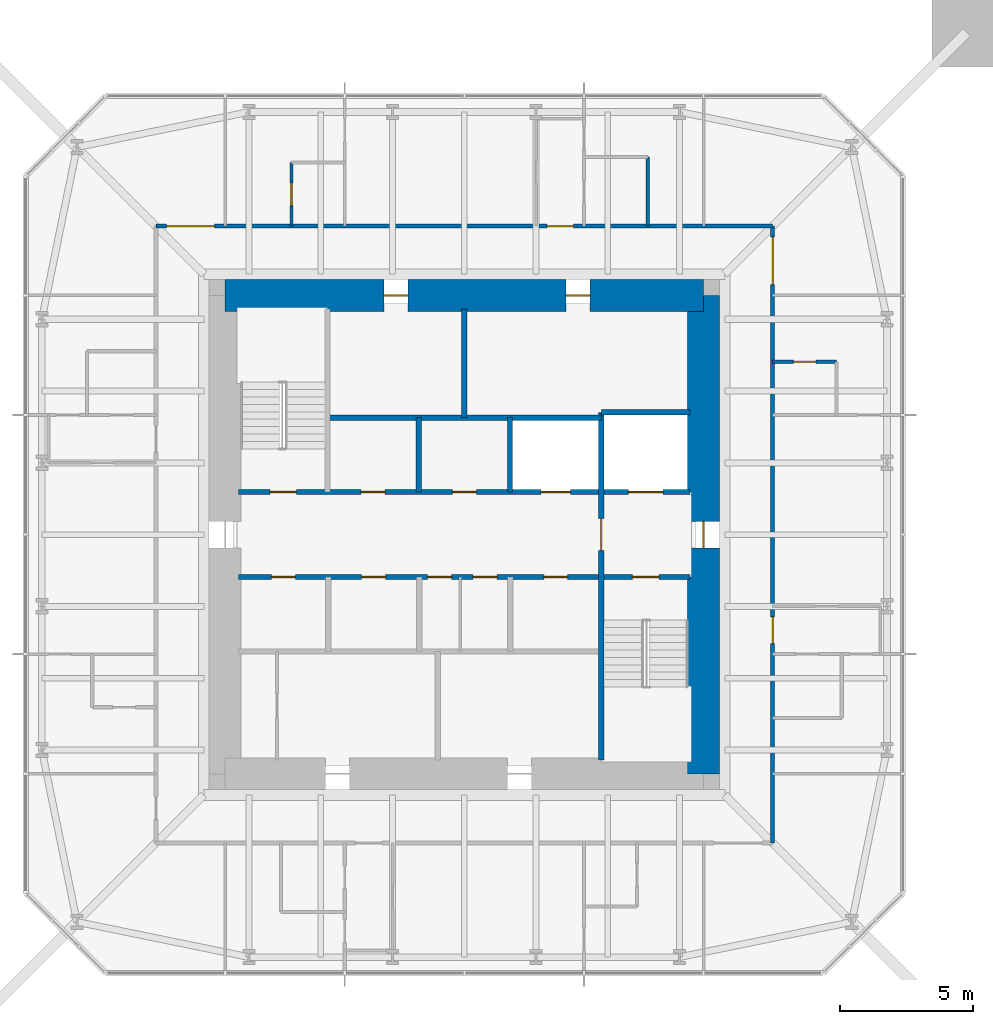
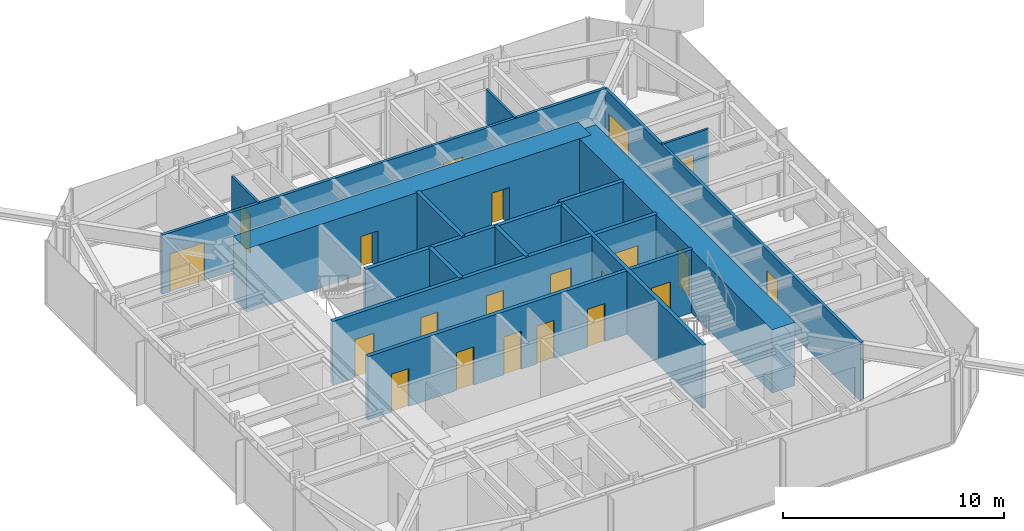
# One storey, part 7 of 9: 21 doors, 15 walls, 21 openings.
"""IFC4 building model written with IfcOpenShell, lengths in metres."""

from ifc_helpers import new_model, si_unit, direction, frame, frame_2d, origin, place, context, subcontext, project, spatial, rectangle, extrude, material, layer, layer_set, type_object, element, fill, save


model = new_model("IFC4")

# Units and contexts
model_context = context("Model", 3, precision=1e-05, world=origin(), true_north=direction((0.0, 1.0)))
body_context = subcontext(model_context, "Body", "Model", "MODEL_VIEW")
ifc_project = project(units=[si_unit("LENGTHUNIT", "METRE"), si_unit("AREAUNIT", "SQUARE_METRE"), si_unit("VOLUMEUNIT", "CUBIC_METRE"), si_unit("PLANEANGLEUNIT", "RADIAN"), si_unit("MASSUNIT", "GRAM", prefix="KILO")], contexts=[model_context])

# Site, building, storey
site_placement = place(None, origin())
site = spatial("IfcSite", under=ifc_project, at=site_placement, CompositionType="ELEMENT")
building_placement = place(site_placement, origin())
building = spatial("IfcBuilding", under=site, at=building_placement, Name="Iwan Alto Co-Living Towers", CompositionType="ELEMENT")
storey_placement = place(building_placement, frame((0.0, 0.0, 239.5)))
storey = spatial("IfcBuildingStorey", under=building, at=storey_placement, Name="L65", CompositionType="ELEMENT", Elevation=239.5)

# Wall, openings, doors
ifc_material_1 = material(Name="Gypsum board")
ifc_layer_1 = layer(ifc_material_1, 0.02490234375, Name="Board", Category="Finish")
ifc_material_2 = material(Name="Steel ASTM A1003 ST33H cold-formed studs", Category="steel")
ifc_layer_2 = layer(ifc_material_2, 0.10009765625, Name="Studs", Category="Framing")
ifc_layer_3 = layer(ifc_material_1, 0.02490234375, Name="Board", Category="Finish")
ifc_layer_set_1 = layer_set([ifc_layer_1, ifc_layer_2, ifc_layer_3], Name="CORRIDOR WALL 150")
wall_type_1 = type_object("IfcWallType", Name="CORRIDOR WALL 150", PredefinedType="PARTITIONING", material=ifc_layer_set_1)
wall_1_placement = place(storey_placement, frame((-11.60009765625, 11.60009765625, 0.0), z_axis=(0.0, 0.0, 1.0), x_axis=(1.0, 0.0, 0.0)))
wall_1 = element("IfcWall", 1, at=wall_1_placement, inside=storey, type_object=wall_type_1, Name="Partition L65", PredefinedType="PARTITIONING", context=body_context, shape_type="SweptSolid", body=[
    extrude(rectangle(XDim=23.2001953125, YDim=0.14990234375, at=frame_2d((11.60009765625, 0.0))), origin(), (0.0, 0.0, 1.0), 3.27001953125),
])
opening_1_placement = place(wall_1_placement, frame((14.699951171875, 0.0, 0.0)))
opening_1 = element("IfcOpeningElement", 2, at=opening_1_placement, cuts=wall_1, Name="Opening D3", PredefinedType="OPENING", context=body_context, shape_type="SweptSolid", body=[
    extrude(rectangle(XDim=1.0, YDim=2.10009765625, at=frame_2d((0.5, 1.050048828125))), frame((0.0, 0.0849609375, 0.0), z_axis=(0.0, -1.0, 0.0), x_axis=(1.0, 0.0, 0.0)), (0.0, 0.0, 1.0), 0.169921875),
])
opening_2_placement = place(wall_1_placement, frame((0.39990234375, 0.0, 0.0)))
opening_2 = element("IfcOpeningElement", 3, at=opening_2_placement, cuts=wall_1, Name="Opening D9", PredefinedType="OPENING", context=body_context, shape_type="SweptSolid", body=[
    extrude(rectangle(XDim=1.800048828125, YDim=2.10009765625, at=frame_2d((0.89990234375, 1.050048828125))), frame((0.0, 0.0849609375, 0.0), z_axis=(0.0, -1.0, 0.0), x_axis=(1.0, 0.0, 0.0)), (0.0, 0.0, 1.0), 0.169921875),
])
ifc_material_3 = material(Name="Steel frame with timber leaf", Category="steel")
door_type_1 = type_object("IfcDoorType", Name="FLAT ENTRANCE DOOR FD30S 1000X2100", OperationType="SINGLE_SWING_LEFT", PredefinedType="DOOR", material=ifc_material_3)
door_1_placement = place(opening_1_placement, origin())
door_1 = element("IfcDoor", 4, at=door_1_placement, inside=storey, type_object=door_type_1, Name="Apartment foyer door L65", OperationType="SINGLE_SWING_LEFT", OverallHeight=2.10009765625, OverallWidth=1.0, PredefinedType="DOOR", context=body_context, shape_type="SweptSolid", body=[
    extrude(rectangle(XDim=1.0, YDim=2.10009765625, at=frame_2d((0.5, 1.050048828125))), frame((0.0, 0.02490234375, 0.0), z_axis=(0.0, -1.0, 0.0), x_axis=(1.0, 0.0, 0.0)), (0.0, 0.0, 1.0), 0.050048828125),
])
fill(opening_1, door_1)
ifc_material_4 = material(Name="Steel frame with timber leaf", Category="steel")
door_type_2 = type_object("IfcDoorType", Name="LOUNGE DOOR FD30S 1800X2100", OperationType="DOUBLE_DOOR_SINGLE_SWING", PredefinedType="DOOR", material=ifc_material_4)
door_2_placement = place(opening_2_placement, origin())
door_2 = element("IfcDoor", 5, at=door_2_placement, inside=storey, type_object=door_type_2, Name="Courtyard lounge door L65", OperationType="DOUBLE_DOOR_SINGLE_SWING", OverallHeight=2.10009765625, OverallWidth=1.800048828125, PredefinedType="DOOR", context=body_context, shape_type="SweptSolid", body=[
    extrude(rectangle(XDim=1.800048828125, YDim=2.10009765625, at=frame_2d((0.89990234375, 1.050048828125))), frame((0.0, 0.02490234375, 0.0), z_axis=(0.0, -1.0, 0.0), x_axis=(1.0, 0.0, 0.0)), (0.0, 0.0, 1.0), 0.050048828125),
])
fill(opening_2, door_2)

wall_2_placement = place(storey_placement, frame((11.60009765625, -11.60009765625, 0.0), z_axis=(0.0, 0.0, 1.0), x_axis=(0.0, 1.0, 0.0)))
wall_2 = element("IfcWall", 6, at=wall_2_placement, inside=storey, type_object=wall_type_1, Name="Partition L65", PredefinedType="PARTITIONING", context=body_context, shape_type="SweptSolid", body=[
    extrude(rectangle(XDim=23.2001953125, YDim=0.14990234375, at=frame_2d((11.60009765625, 0.0))), origin(), (0.0, 0.0, 1.0), 3.27001953125),
])
opening_3_placement = place(wall_2_placement, frame((7.5, 0.0, 0.0)))
opening_3 = element("IfcOpeningElement", 7, at=opening_3_placement, cuts=wall_2, Name="Opening D3", PredefinedType="OPENING", context=body_context, shape_type="SweptSolid", body=[
    extrude(rectangle(XDim=1.0, YDim=2.10009765625, at=frame_2d((0.5, 1.050048828125))), frame((0.0, 0.0849609375, 0.0), z_axis=(0.0, -1.0, 0.0), x_axis=(1.0, 0.0, 0.0)), (0.0, 0.0, 1.0), 0.169921875),
])
opening_4_placement = place(wall_2_placement, frame((21.0, 0.0, 0.0)))
opening_4 = element("IfcOpeningElement", 8, at=opening_4_placement, cuts=wall_2, Name="Opening D9", PredefinedType="OPENING", context=body_context, shape_type="SweptSolid", body=[
    extrude(rectangle(XDim=1.800048828125, YDim=2.10009765625, at=frame_2d((0.89990234375, 1.050048828125))), frame((0.0, 0.0849609375, 0.0), z_axis=(0.0, -1.0, 0.0), x_axis=(1.0, 0.0, 0.0)), (0.0, 0.0, 1.0), 0.169921875),
])
door_3_placement = place(opening_3_placement, frame((1.0, 0.0, 0.0), z_axis=(0.0, 0.0, 1.0), x_axis=(-1.0, 0.0, 0.0)))
door_3 = element("IfcDoor", 9, at=door_3_placement, inside=storey, type_object=door_type_1, Name="Apartment foyer door L65", OperationType="SINGLE_SWING_RIGHT", OverallHeight=2.10009765625, OverallWidth=1.0, PredefinedType="DOOR", context=body_context, shape_type="SweptSolid", body=[
    extrude(rectangle(XDim=1.0, YDim=2.10009765625, at=frame_2d((0.5, 1.050048828125))), frame((0.0, 0.02490234375, 0.0), z_axis=(0.0, -1.0, 0.0), x_axis=(1.0, 0.0, 0.0)), (0.0, 0.0, 1.0), 0.050048828125),
])
fill(opening_3, door_3)
door_4_placement = place(opening_4_placement, frame((1.800048828125, 0.0, 0.0), z_axis=(0.0, 0.0, 1.0), x_axis=(-1.0, 0.0, 0.0)))
door_4 = element("IfcDoor", 10, at=door_4_placement, inside=storey, type_object=door_type_2, Name="Study lounge door L65", OperationType="DOUBLE_DOOR_SINGLE_SWING", OverallHeight=2.10009765625, OverallWidth=1.800048828125, PredefinedType="DOOR", context=body_context, shape_type="SweptSolid", body=[
    extrude(rectangle(XDim=1.800048828125, YDim=2.10009765625, at=frame_2d((0.89990234375, 1.050048828125))), frame((0.0, 0.02490234375, 0.0), z_axis=(0.0, -1.0, 0.0), x_axis=(1.0, 0.0, 0.0)), (0.0, 0.0, 1.0), 0.050048828125),
])
fill(opening_4, door_4)

ifc_material_5 = material(Name="Concrete f'c 70 MPa", Category="concrete")
ifc_layer_4 = layer(ifc_material_5, 0.199951171875)
ifc_layer_set_2 = layer_set([ifc_layer_4], Name="SHAFT WALL 200")
wall_type_2 = type_object("IfcWallType", Name="SHAFT WALL 200", PredefinedType="SOLIDWALL", material=ifc_layer_set_2)
wall_3_placement = place(storey_placement, frame((-8.489990234375, -1.60009765625, 0.0), z_axis=(0.0, 0.0, 1.0), x_axis=(1.0, 0.0, 0.0)))
wall_3 = element("IfcWall", 11, at=wall_3_placement, inside=storey, type_object=wall_type_2, Name="Shaft wall L65", PredefinedType="SOLIDWALL", context=body_context, shape_type="SweptSolid", body=[
    extrude(rectangle(XDim=16.97998046875, YDim=0.199951171875, at=frame_2d((8.489990234375, 0.0))), origin(), (0.0, 0.0, 1.0), 3.5),
])
opening_5_placement = place(wall_3_placement, frame((14.81005859375, 0.0, 0.0)))
opening_5 = element("IfcOpeningElement", 12, at=opening_5_placement, cuts=wall_3, Name="Opening D5", PredefinedType="OPENING", context=body_context, shape_type="SweptSolid", body=[
    extrude(rectangle(XDim=1.0, YDim=2.10009765625, at=frame_2d((0.5, 1.050048828125))), frame((0.0, 0.10986328125, 0.0), z_axis=(0.0, -1.0, 0.0), x_axis=(1.0, 0.0, 0.0)), (0.0, 0.0, 1.0), 0.219970703125),
])
opening_6_placement = place(wall_3_placement, frame((1.23193359375, 0.0, 0.0)))
opening_6 = element("IfcOpeningElement", 13, at=opening_6_placement, cuts=wall_3, Name="Opening D15", PredefinedType="OPENING", context=body_context, shape_type="SweptSolid", body=[
    extrude(rectangle(XDim=0.89990234375, YDim=2.10009765625, at=frame_2d((0.449951171875, 1.050048828125))), frame((0.0, 0.10986328125, 0.0), z_axis=(0.0, -1.0, 0.0), x_axis=(1.0, 0.0, 0.0)), (0.0, 0.0, 1.0), 0.219970703125),
])
opening_7_placement = place(wall_3_placement, frame((4.626953125, 0.0, 0.0)))
opening_7 = element("IfcOpeningElement", 14, at=opening_7_placement, cuts=wall_3, Name="Opening D15", PredefinedType="OPENING", context=body_context, shape_type="SweptSolid", body=[
    extrude(rectangle(XDim=0.89990234375, YDim=2.10009765625, at=frame_2d((0.449951171875, 1.050048828125))), frame((0.0, 0.10986328125, 0.0), z_axis=(0.0, -1.0, 0.0), x_axis=(1.0, 0.0, 0.0)), (0.0, 0.0, 1.0), 0.219970703125),
])
opening_8_placement = place(wall_3_placement, frame((8.822998046875, 0.0, 0.0)))
opening_8 = element("IfcOpeningElement", 15, at=opening_8_placement, cuts=wall_3, Name="Opening D15", PredefinedType="OPENING", context=body_context, shape_type="SweptSolid", body=[
    extrude(rectangle(XDim=0.89990234375, YDim=2.10009765625, at=frame_2d((0.449951171875, 1.050048828125))), frame((0.0, 0.10986328125, 0.0), z_axis=(0.0, -1.0, 0.0), x_axis=(1.0, 0.0, 0.0)), (0.0, 0.0, 1.0), 0.219970703125),
])
opening_9_placement = place(wall_3_placement, frame((7.110107421875, 0.0, 0.0)))
opening_9 = element("IfcOpeningElement", 16, at=opening_9_placement, cuts=wall_3, Name="Opening D15", PredefinedType="OPENING", context=body_context, shape_type="SweptSolid", body=[
    extrude(rectangle(XDim=0.89990234375, YDim=2.10009765625, at=frame_2d((0.449951171875, 1.050048828125))), frame((0.0, 0.10986328125, 0.0), z_axis=(0.0, -1.0, 0.0), x_axis=(1.0, 0.0, 0.0)), (0.0, 0.0, 1.0), 0.219970703125),
])
opening_10_placement = place(wall_3_placement, frame((11.47802734375, 0.0, 0.0)))
opening_10 = element("IfcOpeningElement", 17, at=opening_10_placement, cuts=wall_3, Name="Opening D15", PredefinedType="OPENING", context=body_context, shape_type="SweptSolid", body=[
    extrude(rectangle(XDim=0.89990234375, YDim=2.10009765625, at=frame_2d((0.449951171875, 1.050048828125))), frame((0.0, 0.10986328125, 0.0), z_axis=(0.0, -1.0, 0.0), x_axis=(1.0, 0.0, 0.0)), (0.0, 0.0, 1.0), 0.219970703125),
])
ifc_material_6 = material(Name="Steel frame with timber leaf", Category="steel")
door_type_3 = type_object("IfcDoorType", Name="CORE ROOM DOOR FD60S 900X2100", OperationType="SINGLE_SWING_LEFT", PredefinedType="DOOR", material=ifc_material_6)
door_5_placement = place(opening_6_placement, frame((0.89990234375, 0.0, 0.0), z_axis=(0.0, 0.0, 1.0), x_axis=(-1.0, 0.0, 0.0)))
door_5 = element("IfcDoor", 18, at=door_5_placement, inside=storey, type_object=door_type_3, Name="Linen store door L65", OperationType="SINGLE_SWING_LEFT", OverallHeight=2.10009765625, OverallWidth=0.89990234375, PredefinedType="DOOR", context=body_context, shape_type="SweptSolid", body=[
    extrude(rectangle(XDim=0.89990234375, YDim=2.10009765625, at=frame_2d((0.449951171875, 1.050048828125))), frame((0.0, 0.02490234375, 0.0), z_axis=(0.0, -1.0, 0.0), x_axis=(1.0, 0.0, 0.0)), (0.0, 0.0, 1.0), 0.050048828125),
])
fill(opening_6, door_5)
door_6_placement = place(opening_7_placement, frame((0.89990234375, 0.0, 0.0), z_axis=(0.0, 0.0, 1.0), x_axis=(-1.0, 0.0, 0.0)))
door_6 = element("IfcDoor", 19, at=door_6_placement, inside=storey, type_object=door_type_3, Name="Bulk store door L65", OperationType="SINGLE_SWING_RIGHT", OverallHeight=2.10009765625, OverallWidth=0.89990234375, PredefinedType="DOOR", context=body_context, shape_type="SweptSolid", body=[
    extrude(rectangle(XDim=0.89990234375, YDim=2.10009765625, at=frame_2d((0.449951171875, 1.050048828125))), frame((0.0, 0.02490234375, 0.0), z_axis=(0.0, -1.0, 0.0), x_axis=(1.0, 0.0, 0.0)), (0.0, 0.0, 1.0), 0.050048828125),
])
fill(opening_7, door_6)
door_7_placement = place(opening_8_placement, frame((0.89990234375, 0.0, 0.0), z_axis=(0.0, 0.0, 1.0), x_axis=(-1.0, 0.0, 0.0)))
door_7 = element("IfcDoor", 20, at=door_7_placement, inside=storey, type_object=door_type_3, Name="IT room door L65", OperationType="SINGLE_SWING_RIGHT", OverallHeight=2.10009765625, OverallWidth=0.89990234375, PredefinedType="DOOR", context=body_context, shape_type="SweptSolid", body=[
    extrude(rectangle(XDim=0.89990234375, YDim=2.10009765625, at=frame_2d((0.449951171875, 1.050048828125))), frame((0.0, 0.02490234375, 0.0), z_axis=(0.0, -1.0, 0.0), x_axis=(1.0, 0.0, 0.0)), (0.0, 0.0, 1.0), 0.050048828125),
])
fill(opening_8, door_7)
door_8_placement = place(opening_9_placement, frame((0.89990234375, 0.0, 0.0), z_axis=(0.0, 0.0, 1.0), x_axis=(-1.0, 0.0, 0.0)))
door_8 = element("IfcDoor", 21, at=door_8_placement, inside=storey, type_object=door_type_3, Name="Bulk store door L65", OperationType="SINGLE_SWING_RIGHT", OverallHeight=2.10009765625, OverallWidth=0.89990234375, PredefinedType="DOOR", context=body_context, shape_type="SweptSolid", body=[
    extrude(rectangle(XDim=0.89990234375, YDim=2.10009765625, at=frame_2d((0.449951171875, 1.050048828125))), frame((0.0, 0.02490234375, 0.0), z_axis=(0.0, -1.0, 0.0), x_axis=(1.0, 0.0, 0.0)), (0.0, 0.0, 1.0), 0.050048828125),
])
fill(opening_9, door_8)
door_9_placement = place(opening_10_placement, frame((0.89990234375, 0.0, 0.0), z_axis=(0.0, 0.0, 1.0), x_axis=(-1.0, 0.0, 0.0)))
door_9 = element("IfcDoor", 22, at=door_9_placement, inside=storey, type_object=door_type_3, Name="Vending and ice room door L65", OperationType="SINGLE_SWING_RIGHT", OverallHeight=2.10009765625, OverallWidth=0.89990234375, PredefinedType="DOOR", context=body_context, shape_type="SweptSolid", body=[
    extrude(rectangle(XDim=0.89990234375, YDim=2.10009765625, at=frame_2d((0.449951171875, 1.050048828125))), frame((0.0, 0.02490234375, 0.0), z_axis=(0.0, -1.0, 0.0), x_axis=(1.0, 0.0, 0.0)), (0.0, 0.0, 1.0), 0.050048828125),
])
fill(opening_10, door_9)
ifc_material_7 = material(Name="Steel frame with timber leaf", Category="steel")
door_type_4 = type_object("IfcDoorType", Name="STAIR DOOR FD120S 1000X2100", OperationType="SINGLE_SWING_LEFT", PredefinedType="DOOR", material=ifc_material_7)
door_10_placement = place(opening_5_placement, frame((1.0, 0.0, 0.0), z_axis=(0.0, 0.0, 1.0), x_axis=(-1.0, 0.0, 0.0)))
door_10 = element("IfcDoor", 23, at=door_10_placement, inside=storey, type_object=door_type_4, Name="Stair S2 door L65", OperationType="SINGLE_SWING_RIGHT", OverallHeight=2.10009765625, OverallWidth=1.0, PredefinedType="DOOR", context=body_context, shape_type="SweptSolid", body=[
    extrude(rectangle(XDim=1.0, YDim=2.10009765625, at=frame_2d((0.5, 1.050048828125))), frame((0.0, 0.02490234375, 0.0), z_axis=(0.0, -1.0, 0.0), x_axis=(1.0, 0.0, 0.0)), (0.0, 0.0, 1.0), 0.050048828125),
])
fill(opening_5, door_10)

wall_4_placement = place(storey_placement, frame((-8.489990234375, 1.60009765625, 0.0), z_axis=(0.0, 0.0, 1.0), x_axis=(1.0, 0.0, 0.0)))
wall_4 = element("IfcWall", 24, at=wall_4_placement, inside=storey, type_object=wall_type_2, Name="Shaft wall L65", PredefinedType="SOLIDWALL", context=body_context, shape_type="SweptSolid", body=[
    extrude(rectangle(XDim=16.97998046875, YDim=0.199951171875, at=frame_2d((8.489990234375, 0.0))), origin(), (0.0, 0.0, 1.0), 3.5),
])
opening_11_placement = place(wall_4_placement, frame((1.169921875, 0.0, 0.0)))
opening_11 = element("IfcOpeningElement", 25, at=opening_11_placement, cuts=wall_4, Name="Opening D5", PredefinedType="OPENING", context=body_context, shape_type="SweptSolid", body=[
    extrude(rectangle(XDim=1.0, YDim=2.10009765625, at=frame_2d((0.5, 1.050048828125))), frame((0.0, 0.10986328125, 0.0), z_axis=(0.0, -1.0, 0.0), x_axis=(1.0, 0.0, 0.0)), (0.0, 0.0, 1.0), 0.219970703125),
])
opening_12_placement = place(wall_4_placement, frame((4.60595703125, 0.0, 0.0)))
opening_12 = element("IfcOpeningElement", 26, at=opening_12_placement, cuts=wall_4, Name="Opening D15", PredefinedType="OPENING", context=body_context, shape_type="SweptSolid", body=[
    extrude(rectangle(XDim=0.89990234375, YDim=2.10009765625, at=frame_2d((0.449951171875, 1.050048828125))), frame((0.0, 0.10986328125, 0.0), z_axis=(0.0, -1.0, 0.0), x_axis=(1.0, 0.0, 0.0)), (0.0, 0.0, 1.0), 0.219970703125),
])
opening_13_placement = place(wall_4_placement, frame((8.0400390625, 0.0, 0.0)))
opening_13 = element("IfcOpeningElement", 27, at=opening_13_placement, cuts=wall_4, Name="Opening D15", PredefinedType="OPENING", context=body_context, shape_type="SweptSolid", body=[
    extrude(rectangle(XDim=0.89990234375, YDim=2.10009765625, at=frame_2d((0.449951171875, 1.050048828125))), frame((0.0, 0.10986328125, 0.0), z_axis=(0.0, -1.0, 0.0), x_axis=(1.0, 0.0, 0.0)), (0.0, 0.0, 1.0), 0.219970703125),
])
opening_14_placement = place(wall_4_placement, frame((11.3740234375, 0.0, 0.0)))
opening_14 = element("IfcOpeningElement", 28, at=opening_14_placement, cuts=wall_4, Name="Opening LD", PredefinedType="OPENING", context=body_context, shape_type="SweptSolid", body=[
    extrude(rectangle(XDim=1.10009765625, YDim=2.10009765625, at=frame_2d((0.550048828125, 1.050048828125))), frame((0.0, 0.10986328125, 0.0), z_axis=(0.0, -1.0, 0.0), x_axis=(1.0, 0.0, 0.0)), (0.0, 0.0, 1.0), 0.219970703125),
])
opening_15_placement = place(wall_4_placement, frame((14.659912109375, 0.0, 0.0)))
opening_15 = element("IfcOpeningElement", 29, at=opening_15_placement, cuts=wall_4, Name="Opening LD2", PredefinedType="OPENING", context=body_context, shape_type="SweptSolid", body=[
    extrude(rectangle(XDim=1.300048828125, YDim=2.10009765625, at=frame_2d((0.64990234375, 1.050048828125))), frame((0.0, 0.10986328125, 0.0), z_axis=(0.0, -1.0, 0.0), x_axis=(1.0, 0.0, 0.0)), (0.0, 0.0, 1.0), 0.219970703125),
])
door_11_placement = place(opening_12_placement, origin())
door_11 = element("IfcDoor", 30, at=door_11_placement, inside=storey, type_object=door_type_3, Name="Housekeeping store door L65", OperationType="SINGLE_SWING_LEFT", OverallHeight=2.10009765625, OverallWidth=0.89990234375, PredefinedType="DOOR", context=body_context, shape_type="SweptSolid", body=[
    extrude(rectangle(XDim=0.89990234375, YDim=2.10009765625, at=frame_2d((0.449951171875, 1.050048828125))), frame((0.0, 0.02490234375, 0.0), z_axis=(0.0, -1.0, 0.0), x_axis=(1.0, 0.0, 0.0)), (0.0, 0.0, 1.0), 0.050048828125),
])
fill(opening_12, door_11)
door_12_placement = place(opening_13_placement, origin())
door_12 = element("IfcDoor", 31, at=door_12_placement, inside=storey, type_object=door_type_3, Name="Comms room door L65", OperationType="SINGLE_SWING_LEFT", OverallHeight=2.10009765625, OverallWidth=0.89990234375, PredefinedType="DOOR", context=body_context, shape_type="SweptSolid", body=[
    extrude(rectangle(XDim=0.89990234375, YDim=2.10009765625, at=frame_2d((0.449951171875, 1.050048828125))), frame((0.0, 0.02490234375, 0.0), z_axis=(0.0, -1.0, 0.0), x_axis=(1.0, 0.0, 0.0)), (0.0, 0.0, 1.0), 0.050048828125),
])
fill(opening_13, door_12)
ifc_material_8 = material(Name="Steel frame with timber leaf", Category="steel")
door_type_5 = type_object("IfcDoorType", Name="LIFT LANDING DOOR 1100X2100", OperationType="DOUBLE_DOOR_SLIDING", PredefinedType="DOOR", material=ifc_material_8)
door_13_placement = place(opening_14_placement, origin())
door_13 = element("IfcDoor", 32, at=door_13_placement, inside=storey, type_object=door_type_5, Name="Lift P4-3 landing door L65", OperationType="DOUBLE_DOOR_SLIDING", OverallHeight=2.10009765625, OverallWidth=1.10009765625, PredefinedType="DOOR", context=body_context, shape_type="SweptSolid", body=[
    extrude(rectangle(XDim=1.10009765625, YDim=2.10009765625, at=frame_2d((0.550048828125, 1.050048828125))), frame((0.0, 0.02490234375, 0.0), z_axis=(0.0, -1.0, 0.0), x_axis=(1.0, 0.0, 0.0)), (0.0, 0.0, 1.0), 0.050048828125),
])
fill(opening_14, door_13)
ifc_material_9 = material(Name="Steel frame with timber leaf", Category="steel")
door_type_6 = type_object("IfcDoorType", Name="LIFT LANDING DOOR 1300X2100", OperationType="SLIDING_TO_LEFT", PredefinedType="DOOR", material=ifc_material_9)
door_14_placement = place(opening_15_placement, origin())
door_14 = element("IfcDoor", 33, at=door_14_placement, inside=storey, type_object=door_type_6, Name="Lift FL1 landing door L65", OperationType="SLIDING_TO_LEFT", OverallHeight=2.10009765625, OverallWidth=1.300048828125, PredefinedType="DOOR", context=body_context, shape_type="SweptSolid", body=[
    extrude(rectangle(XDim=1.300048828125, YDim=2.10009765625, at=frame_2d((0.64990234375, 1.050048828125))), frame((0.0, 0.02490234375, 0.0), z_axis=(0.0, -1.0, 0.0), x_axis=(1.0, 0.0, 0.0)), (0.0, 0.0, 1.0), 0.050048828125),
])
fill(opening_15, door_14)
door_15_placement = place(opening_11_placement, origin())
door_15 = element("IfcDoor", 34, at=door_15_placement, inside=storey, type_object=door_type_4, Name="Stair S1 door L65", OperationType="SINGLE_SWING_RIGHT", OverallHeight=2.10009765625, OverallWidth=1.0, PredefinedType="DOOR", context=body_context, shape_type="SweptSolid", body=[
    extrude(rectangle(XDim=1.0, YDim=2.10009765625, at=frame_2d((0.5, 1.050048828125))), frame((0.0, 0.02490234375, 0.0), z_axis=(0.0, -1.0, 0.0), x_axis=(1.0, 0.0, 0.0)), (0.0, 0.0, 1.0), 0.050048828125),
])
fill(opening_11, door_15)

# Walls
wall_5_placement = place(storey_placement, frame((-5.14990234375, 4.39990234375, 0.0), z_axis=(0.0, 0.0, 1.0), x_axis=(1.0, 0.0, 0.0)))
element("IfcWall", 35, at=wall_5_placement, inside=storey, type_object=wall_type_2, Name="Shaft wall L65", PredefinedType="SOLIDWALL", context=body_context, shape_type="SweptSolid", body=[
    extrude(rectangle(XDim=10.2998046875, YDim=0.199951171875, at=frame_2d((5.14990234375, 0.0))), origin(), (0.0, 0.0, 1.0), 3.5),
])
wall_6_placement = place(storey_placement, frame((5.14990234375, 4.60009765625, 0.0), z_axis=(0.0, 0.0, 1.0), x_axis=(1.0, 0.0, 0.0)))
element("IfcWall", 36, at=wall_6_placement, inside=storey, type_object=wall_type_2, Name="Shaft wall L65", PredefinedType="SOLIDWALL", context=body_context, shape_type="SweptSolid", body=[
    extrude(rectangle(XDim=3.340087890625, YDim=0.199951171875, at=frame_2d((1.669921875, 0.0))), origin(), (0.0, 0.0, 1.0), 3.5),
])

# Wall, opening, door
wall_7_placement = place(storey_placement, frame((5.14990234375, -8.489990234375, 0.0), z_axis=(0.0, 0.0, 1.0), x_axis=(0.0, 1.0, 0.0)))
wall_7 = element("IfcWall", 37, at=wall_7_placement, inside=storey, type_object=wall_type_2, Name="Shaft wall L65", PredefinedType="SOLIDWALL", context=body_context, shape_type="SweptSolid", body=[
    extrude(rectangle(XDim=13.090087890625, YDim=0.199951171875, at=frame_2d((6.544921875, 0.0))), origin(), (0.0, 0.0, 1.0), 3.5),
])
opening_16_placement = place(wall_7_placement, frame((7.889892578125, 0.0, 0.0)))
opening_16 = element("IfcOpeningElement", 38, at=opening_16_placement, cuts=wall_7, Name="Opening D6", PredefinedType="OPENING", context=body_context, shape_type="SweptSolid", body=[
    extrude(rectangle(XDim=1.199951171875, YDim=2.10009765625, at=frame_2d((0.60009765625, 1.050048828125))), frame((0.0, 0.10986328125, 0.0), z_axis=(0.0, -1.0, 0.0), x_axis=(1.0, 0.0, 0.0)), (0.0, 0.0, 1.0), 0.219970703125),
])
ifc_material_10 = material(Name="Steel frame with timber leaf", Category="steel")
door_type_7 = type_object("IfcDoorType", Name="LOBBY DOOR FD120S 1200X2100", OperationType="SINGLE_SWING_LEFT", PredefinedType="DOOR", material=ifc_material_10)
door_16_placement = place(opening_16_placement, frame((1.199951171875, 0.0, 0.0), z_axis=(0.0, 0.0, 1.0), x_axis=(-1.0, 0.0, 0.0)))
door_16 = element("IfcDoor", 39, at=door_16_placement, inside=storey, type_object=door_type_7, Name="Firefighting lobby door L65", OperationType="SINGLE_SWING_RIGHT", OverallHeight=2.10009765625, OverallWidth=1.199951171875, PredefinedType="DOOR", context=body_context, shape_type="SweptSolid", body=[
    extrude(rectangle(XDim=1.199951171875, YDim=2.10009765625, at=frame_2d((0.60009765625, 1.050048828125))), frame((0.0, 0.02490234375, 0.0), z_axis=(0.0, -1.0, 0.0), x_axis=(1.0, 0.0, 0.0)), (0.0, 0.0, 1.0), 0.050048828125),
])
fill(opening_16, door_16)

# Walls
wall_8_placement = place(storey_placement, frame((1.717041015625, 1.60009765625, 0.0), z_axis=(0.0, 0.0, 1.0), x_axis=(0.0, 1.0, 0.0)))
element("IfcWall", 40, at=wall_8_placement, inside=storey, type_object=wall_type_2, Name="Shaft wall L65", PredefinedType="SOLIDWALL", context=body_context, shape_type="SweptSolid", body=[
    extrude(rectangle(XDim=2.7998046875, YDim=0.199951171875, at=frame_2d((1.39990234375, 0.0))), origin(), (0.0, 0.0, 1.0), 3.5),
])
wall_9_placement = place(storey_placement, frame((0.0, 4.39990234375, 0.0), z_axis=(0.0, 0.0, 1.0), x_axis=(0.0, 1.0, 0.0)))
element("IfcWall", 41, at=wall_9_placement, inside=storey, type_object=wall_type_2, Name="Shaft wall L65", PredefinedType="SOLIDWALL", context=body_context, shape_type="SweptSolid", body=[
    extrude(rectangle(XDim=4.090087890625, YDim=0.199951171875, at=frame_2d((2.044921875, 0.0))), origin(), (0.0, 0.0, 1.0), 3.5),
])
wall_10_placement = place(storey_placement, frame((-1.717041015625, 1.60009765625, 0.0), z_axis=(0.0, 0.0, 1.0), x_axis=(0.0, 1.0, 0.0)))
element("IfcWall", 42, at=wall_10_placement, inside=storey, type_object=wall_type_2, Name="Shaft wall L65", PredefinedType="SOLIDWALL", context=body_context, shape_type="SweptSolid", body=[
    extrude(rectangle(XDim=2.7998046875, YDim=0.199951171875, at=frame_2d((1.39990234375, 0.0))), origin(), (0.0, 0.0, 1.0), 3.5),
])

# Wall, openings, doors
ifc_material_11 = material(Name="Concrete f'c 70 MPa", Category="concrete")
ifc_layer_5 = layer(ifc_material_11, 1.199951171875)
ifc_layer_set_3 = layer_set([ifc_layer_5], Name="T1 CORE WALL 1200")
wall_type_3 = type_object("IfcWallType", Name="T1 CORE WALL 1200", PredefinedType="SHEAR", material=ifc_layer_set_3)
wall_11_placement = place(storey_placement, frame((9.0, 9.0, 0.0), z_axis=(0.0, 0.0, 1.0), x_axis=(-1.0, 0.0, 0.0)))
wall_11 = element("IfcWall", 43, at=wall_11_placement, inside=storey, type_object=wall_type_3, Name="T1 core wall N L65", PredefinedType="SHEAR", context=body_context, shape_type="SweptSolid", body=[
    extrude(rectangle(XDim=18.0, YDim=1.199951171875, at=frame_2d((9.0, 0.0))), origin(), (0.0, 0.0, 1.0), 3.5),
])
opening_17_placement = place(wall_11_placement, frame((11.125, 0.0, 0.0)))
opening_17 = element("IfcOpeningElement", 44, at=opening_17_placement, cuts=wall_11, Name="Opening D8", PredefinedType="OPENING", context=body_context, shape_type="SweptSolid", body=[
    extrude(rectangle(XDim=0.89990234375, YDim=2.10009765625, at=frame_2d((0.449951171875, 1.050048828125))), frame((0.0, 0.60986328125, 0.0), z_axis=(0.0, -1.0, 0.0), x_axis=(1.0, 0.0, 0.0)), (0.0, 0.0, 1.0), 1.219970703125),
])
opening_18_placement = place(wall_11_placement, frame((4.27490234375, 0.0, 0.0)))
opening_18 = element("IfcOpeningElement", 45, at=opening_18_placement, cuts=wall_11, Name="Opening D8", PredefinedType="OPENING", context=body_context, shape_type="SweptSolid", body=[
    extrude(rectangle(XDim=0.89990234375, YDim=2.10009765625, at=frame_2d((0.449951171875, 1.050048828125))), frame((0.0, 0.60986328125, 0.0), z_axis=(0.0, -1.0, 0.0), x_axis=(1.0, 0.0, 0.0)), (0.0, 0.0, 1.0), 1.219970703125),
])
ifc_material_12 = material(Name="Steel frame with timber leaf", Category="steel")
door_type_8 = type_object("IfcDoorType", Name="RISER DOOR FD120 900X2100", OperationType="SINGLE_SWING_LEFT", PredefinedType="DOOR", material=ifc_material_12)
door_17_placement = place(opening_17_placement, origin())
door_17 = element("IfcDoor", 46, at=door_17_placement, inside=storey, type_object=door_type_8, Name="Electrical riser core door L65", OperationType="SINGLE_SWING_RIGHT", OverallHeight=2.10009765625, OverallWidth=0.89990234375, PredefinedType="DOOR", context=body_context, shape_type="SweptSolid", body=[
    extrude(rectangle(XDim=0.89990234375, YDim=2.10009765625, at=frame_2d((0.449951171875, 1.050048828125))), frame((0.0, 0.02490234375, 0.0), z_axis=(0.0, -1.0, 0.0), x_axis=(1.0, 0.0, 0.0)), (0.0, 0.0, 1.0), 0.050048828125),
])
fill(opening_17, door_17)
door_18_placement = place(opening_18_placement, origin())
door_18 = element("IfcDoor", 47, at=door_18_placement, inside=storey, type_object=door_type_8, Name="Water and drainage riser core door L65", OperationType="SINGLE_SWING_RIGHT", OverallHeight=2.10009765625, OverallWidth=0.89990234375, PredefinedType="DOOR", context=body_context, shape_type="SweptSolid", body=[
    extrude(rectangle(XDim=0.89990234375, YDim=2.10009765625, at=frame_2d((0.449951171875, 1.050048828125))), frame((0.0, 0.02490234375, 0.0), z_axis=(0.0, -1.0, 0.0), x_axis=(1.0, 0.0, 0.0)), (0.0, 0.0, 1.0), 0.050048828125),
])
fill(opening_18, door_18)

# Wall, opening, door
wall_12_placement = place(storey_placement, frame((9.0, -9.0, 0.0), z_axis=(0.0, 0.0, 1.0), x_axis=(0.0, 1.0, 0.0)))
wall_12 = element("IfcWall", 48, at=wall_12_placement, inside=storey, type_object=wall_type_3, Name="T1 core wall E L65", PredefinedType="SHEAR", context=body_context, shape_type="SweptSolid", body=[
    extrude(rectangle(XDim=18.0, YDim=1.199951171875, at=frame_2d((9.0, 0.0))), origin(), (0.0, 0.0, 1.0), 3.5),
])
opening_19_placement = place(wall_12_placement, frame((8.5, 0.0, 0.0)))
opening_19 = element("IfcOpeningElement", 49, at=opening_19_placement, cuts=wall_12, Name="Opening D7", PredefinedType="OPENING", context=body_context, shape_type="SweptSolid", body=[
    extrude(rectangle(XDim=1.0, YDim=2.10009765625, at=frame_2d((0.5, 1.050048828125))), frame((0.0, 0.60986328125, 0.0), z_axis=(0.0, -1.0, 0.0), x_axis=(1.0, 0.0, 0.0)), (0.0, 0.0, 1.0), 1.219970703125),
])
ifc_material_13 = material(Name="Steel frame with timber leaf", Category="steel")
door_type_9 = type_object("IfcDoorType", Name="CORE DOOR FD120S 1000X2100", OperationType="SINGLE_SWING_LEFT", PredefinedType="DOOR", material=ifc_material_13)
door_19_placement = place(opening_19_placement, origin())
door_19 = element("IfcDoor", 50, at=door_19_placement, inside=storey, type_object=door_type_9, Name="Firefighting lobby core door L65", OperationType="SINGLE_SWING_LEFT", OverallHeight=2.10009765625, OverallWidth=1.0, PredefinedType="DOOR", context=body_context, shape_type="SweptSolid", body=[
    extrude(rectangle(XDim=1.0, YDim=2.10009765625, at=frame_2d((0.5, 1.050048828125))), frame((0.0, 0.02490234375, 0.0), z_axis=(0.0, -1.0, 0.0), x_axis=(1.0, 0.0, 0.0)), (0.0, 0.0, 1.0), 0.050048828125),
])
fill(opening_19, door_19)

ifc_material_14 = material(Name="Cement board")
ifc_layer_6 = layer(ifc_material_14, 0.012451171875, Name="Board", Category="Finish")
ifc_layer_7 = layer(ifc_material_2, 0.094970703125, Name="Studs", Category="Framing")
ifc_layer_8 = layer(ifc_material_14, 0.012451171875, Name="Board", Category="Finish")
ifc_layer_set_4 = layer_set([ifc_layer_6, ifc_layer_7, ifc_layer_8], Name="WET AREA PARTITION 120")
wall_type_4 = type_object("IfcWallType", Name="WET AREA PARTITION 120", PredefinedType="PARTITIONING", material=ifc_layer_set_4)
wall_13_placement = place(storey_placement, frame((11.60009765625, 6.5, 0.0), z_axis=(0.0, 0.0, 1.0), x_axis=(1.0, 0.0, 0.0)))
wall_13 = element("IfcWall", 51, at=wall_13_placement, inside=storey, type_object=wall_type_4, Name="Partition L65", PredefinedType="PARTITIONING", context=body_context, shape_type="SweptSolid", body=[
    extrude(rectangle(XDim=2.39990234375, YDim=0.1201171875, at=frame_2d((1.199951171875, 0.0))), origin(), (0.0, 0.0, 1.0), 3.27001953125),
])
opening_20_placement = place(wall_13_placement, frame((0.77490234375, 0.0, 0.0)))
opening_20 = element("IfcOpeningElement", 52, at=opening_20_placement, cuts=wall_13, Name="Opening D2", PredefinedType="OPENING", context=body_context, shape_type="SweptSolid", body=[
    extrude(rectangle(XDim=0.85009765625, YDim=2.10009765625, at=frame_2d((0.425048828125, 1.050048828125))), frame((0.0, 0.070068359375, 0.0), z_axis=(0.0, -1.0, 0.0), x_axis=(1.0, 0.0, 0.0)), (0.0, 0.0, 1.0), 0.14013671875),
])
ifc_material_15 = material(Name="Timber leaf in steel frame", Category="steel")
door_type_10 = type_object("IfcDoorType", Name="ROOM DOOR 850X2100", OperationType="SINGLE_SWING_LEFT", PredefinedType="DOOR", material=ifc_material_15)
door_20_placement = place(opening_20_placement, origin())
door_20 = element("IfcDoor", 53, at=door_20_placement, inside=storey, type_object=door_type_10, Name="En-suite shower room door L65", OperationType="SINGLE_SWING_LEFT", OverallHeight=2.10009765625, OverallWidth=0.85009765625, PredefinedType="DOOR", context=body_context, shape_type="SweptSolid", body=[
    extrude(rectangle(XDim=0.85009765625, YDim=2.10009765625, at=frame_2d((0.425048828125, 1.050048828125))), frame((0.0, 0.02490234375, 0.0), z_axis=(0.0, -1.0, 0.0), x_axis=(1.0, 0.0, 0.0)), (0.0, 0.0, 1.0), 0.050048828125),
])
fill(opening_20, door_20)

# Wall
wall_14_placement = place(storey_placement, frame((6.89990234375, 11.60009765625, 0.0), z_axis=(0.0, 0.0, 1.0), x_axis=(0.0, 1.0, 0.0)))
element("IfcWall", 54, at=wall_14_placement, inside=storey, type_object=wall_type_4, Name="Partition L65", PredefinedType="PARTITIONING", context=body_context, shape_type="SweptSolid", body=[
    extrude(rectangle(XDim=2.599853515625, YDim=0.1201171875, at=frame_2d((1.2998046875, 0.0))), origin(), (0.0, 0.0, 1.0), 3.27001953125),
])

# Wall, opening, door
wall_15_placement = place(storey_placement, frame((-6.5, 11.60009765625, 0.0), z_axis=(0.0, 0.0, 1.0), x_axis=(0.0, 1.0, 0.0)))
wall_15 = element("IfcWall", 55, at=wall_15_placement, inside=storey, type_object=wall_type_4, Name="Partition L65", PredefinedType="PARTITIONING", context=body_context, shape_type="SweptSolid", body=[
    extrude(rectangle(XDim=2.39990234375, YDim=0.1201171875, at=frame_2d((1.199951171875, 0.0))), origin(), (0.0, 0.0, 1.0), 3.27001953125),
])
opening_21_placement = place(wall_15_placement, frame((0.77490234375, 0.0, 0.0)))
opening_21 = element("IfcOpeningElement", 56, at=opening_21_placement, cuts=wall_15, Name="Opening D2", PredefinedType="OPENING", context=body_context, shape_type="SweptSolid", body=[
    extrude(rectangle(XDim=0.85009765625, YDim=2.10009765625, at=frame_2d((0.425048828125, 1.050048828125))), frame((0.0, 0.070068359375, 0.0), z_axis=(0.0, -1.0, 0.0), x_axis=(1.0, 0.0, 0.0)), (0.0, 0.0, 1.0), 0.14013671875),
])
door_21_placement = place(opening_21_placement, origin())
door_21 = element("IfcDoor", 57, at=door_21_placement, inside=storey, type_object=door_type_10, Name="En-suite shower room door L65", OperationType="SINGLE_SWING_LEFT", OverallHeight=2.10009765625, OverallWidth=0.85009765625, PredefinedType="DOOR", context=body_context, shape_type="SweptSolid", body=[
    extrude(rectangle(XDim=0.85009765625, YDim=2.10009765625, at=frame_2d((0.425048828125, 1.050048828125))), frame((0.0, 0.02490234375, 0.0), z_axis=(0.0, -1.0, 0.0), x_axis=(1.0, 0.0, 0.0)), (0.0, 0.0, 1.0), 0.050048828125),
])
fill(opening_21, door_21)

save(model, "model.ifc")
